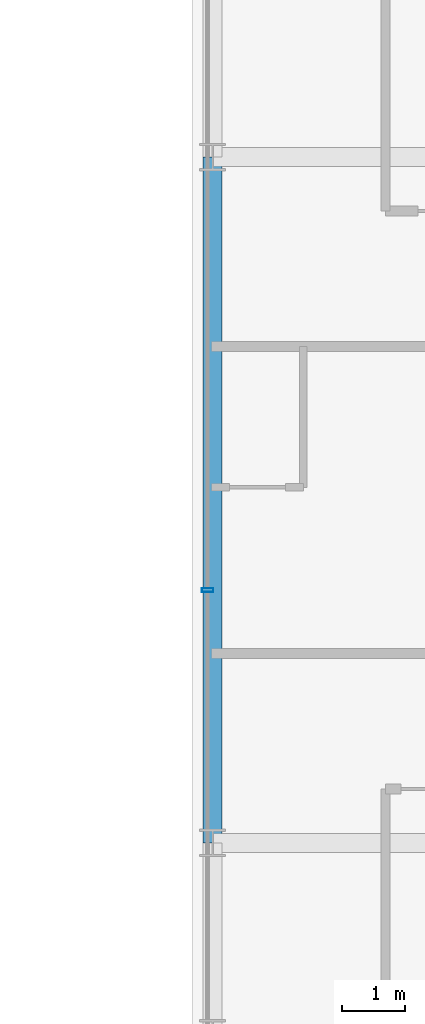
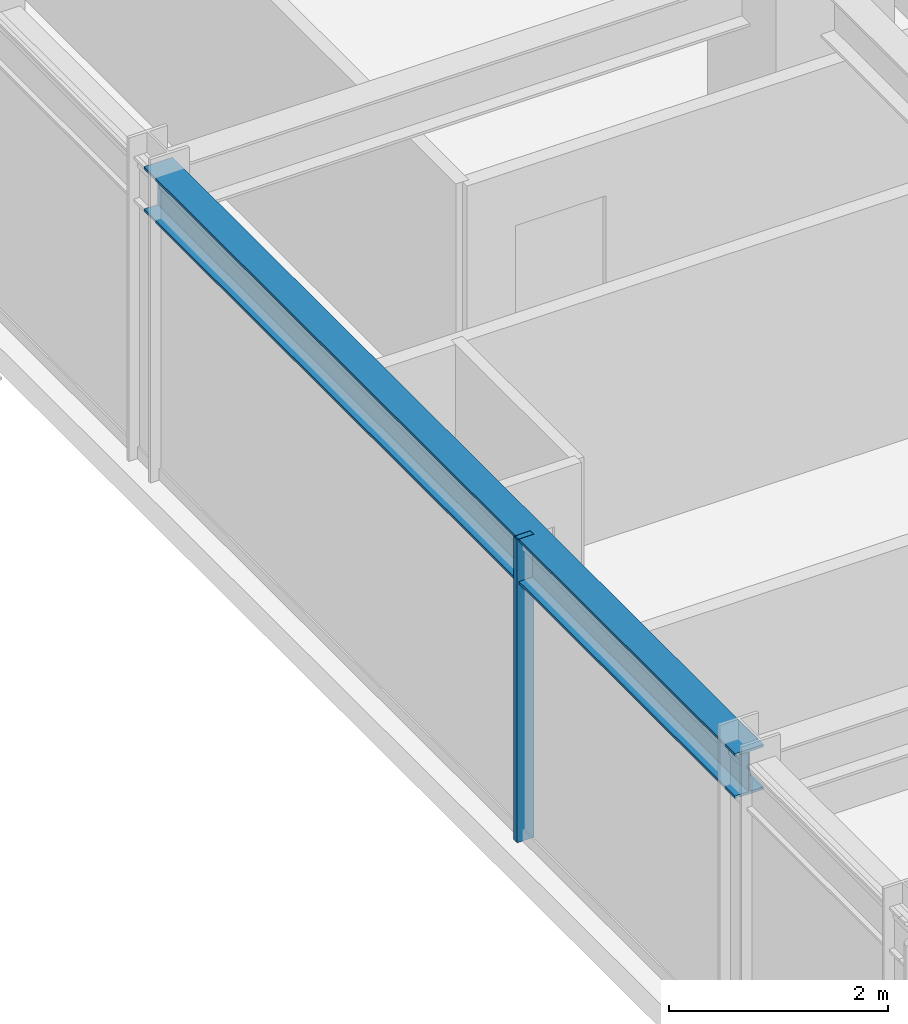
# One storey, part 8 of 35: 1 beam, 1 member, 1 element without a shape of its own.
"""IFC4 building model written with IfcOpenShell, lengths in metres."""

import ifcopenshell
import ifcopenshell.guid

model = None  # the IFC model being written
_history = None  # IfcOwnerHistory: only IFC2X3 demands one
_inside = {}  # id of a spatial element -> (the spatial element, [elements in it])
_under = {}  # id of a project, library or spatial element -> (it, [spatial elements below it])
_declared = {}  # id of a project -> (the project, [libraries it declares])
_typed = {}  # id of a type object -> (the type object, [elements of that type])
_made_of = {}  # id of a material, layer set ... -> (it, [elements and type objects made of it])


def new_model(schema):
    """Start an empty IFC model of exactly this schema.

    Asked for "IFC4X3", IfcOpenShell would pick the latest addendum, in which some entities
    have other attributes; the version numbers below select the first issue.
    IFC2X3 requires an IfcOwnerHistory on every rooted entity: one is made here for all.
    """
    global model, _history
    if schema == "IFC4X3":
        model = ifcopenshell.file(schema_version=(4, 3, 0, 0))
    else:
        model = ifcopenshell.file(schema=schema)
    _inside.clear()
    _under.clear()
    _declared.clear()
    _typed.clear()
    _made_of.clear()
    _history = None
    if model.schema == "IFC2X3":
        org = make("IfcOrganization", Name="unknown")
        user = make(
            "IfcPersonAndOrganization",
            ThePerson=make("IfcPerson", FamilyName="unknown"),
            TheOrganization=org,
        )
        app = make(
            "IfcApplication",
            ApplicationDeveloper=org,
            Version="unknown",
            ApplicationFullName="unknown",
            ApplicationIdentifier="unknown",
        )
        _history = make(
            "IfcOwnerHistory",
            OwningUser=user,
            OwningApplication=app,
            ChangeAction="ADDED",
            CreationDate=0,
        )
    return model


def make(cls, **values):
    """One entity of the class cls with the attributes given. An attribute that is None is left unset."""
    return model.create_entity(
        cls, **{name: value for name, value in values.items() if value is not None}
    )


def rooted(cls, **values):
    """An entity with a GlobalId (a new one), such as an element, a storey or a relation."""
    return make(cls, GlobalId=ifcopenshell.guid.new(), OwnerHistory=_history, **values)


def si_unit(unit_type, name, prefix=None):
    """IfcSIUnit, for example si_unit("LENGTHUNIT", "METRE", prefix="MILLI")."""
    return make("IfcSIUnit", UnitType=unit_type, Prefix=prefix, Name=name)


def assignment(units):
    """IfcUnitAssignment: the units of a project."""
    return None if units is None else make("IfcUnitAssignment", Units=units)


def point(xyz):
    """IfcCartesianPoint."""
    return None if xyz is None else make("IfcCartesianPoint", Coordinates=xyz)


def direction(xyz):
    """IfcDirection."""
    return None if xyz is None else make("IfcDirection", DirectionRatios=xyz)


def frame(location, z_axis=None, x_axis=None):
    """IfcAxis2Placement3D, a coordinate frame: its origin and axes. An axis left out is left unset."""
    return make(
        "IfcAxis2Placement3D",
        Location=point(location),
        Axis=direction(z_axis),
        RefDirection=direction(x_axis),
    )


def frame_2d(location, x_axis=None):
    """IfcAxis2Placement2D, a coordinate frame in the plane: its origin and x axis."""
    return make(
        "IfcAxis2Placement2D", Location=point(location), RefDirection=direction(x_axis)
    )


def origin():
    """The frame at (0, 0, 0) with its axes left unset."""
    return frame((0.0, 0.0, 0.0))


def origin_2d():
    """The frame at (0, 0) in the plane with its x axis left unset."""
    return frame_2d((0.0, 0.0))


def place(relative_to, where):
    """IfcLocalPlacement: puts the frame where relative to a parent placement (None: the world)."""
    return make(
        "IfcLocalPlacement", PlacementRelTo=relative_to, RelativePlacement=where
    )


def context(
    kind, dimensions, precision=None, world=None, true_north=None, identifier=None
):
    """IfcGeometricRepresentationContext, for example the 3D "Model" context."""
    return make(
        "IfcGeometricRepresentationContext",
        ContextIdentifier=identifier,
        ContextType=kind,
        CoordinateSpaceDimension=dimensions,
        Precision=precision,
        WorldCoordinateSystem=world,
        TrueNorth=true_north,
    )


def subcontext(parent, identifier, kind, view, scale=None):
    """IfcGeometricRepresentationSubContext, for example "Body" below "Model"."""
    return make(
        "IfcGeometricRepresentationSubContext",
        ContextIdentifier=identifier,
        ContextType=kind,
        ParentContext=parent,
        TargetScale=scale,
        TargetView=view,
    )


def project(units=None, contexts=None):
    """IfcProject with its units and contexts."""
    return rooted(
        "IfcProject",
        Name="project",
        RepresentationContexts=contexts,
        UnitsInContext=assignment(units),
    )


def spatial(cls, under=None, at=None, **own):
    """A site, building, storey or space (cls), placed at a placement, below another one or the project."""
    s = rooted(cls, ObjectPlacement=at, **own)
    if under is not None:
        _under.setdefault(under.id(), (under, []))[1].append(s)
    return s


def profile(cls, at=None, kind="AREA", **sizes):
    """A parametric profile (cls). Its sizes go by their IFC names, for example OverallWidth=200.0."""
    return make(cls, ProfileType=kind, Position=at, **sizes)


def hollow_rectangle(**sizes):
    """IfcRectangleHollowProfileDef."""
    return profile("IfcRectangleHollowProfileDef", **sizes)


def i_section(**sizes):
    """IfcIShapeProfileDef."""
    return profile("IfcIShapeProfileDef", **sizes)


def extrude(swept, where, along, depth):
    """IfcExtrudedAreaSolid: the profile swept, set in the frame where, extruded along a direction by depth."""
    return make(
        "IfcExtrudedAreaSolid",
        SweptArea=swept,
        Position=where,
        ExtrudedDirection=direction(along),
        Depth=depth,
    )


def shape(context_of_items, identifier, shape_type, items):
    """IfcShapeRepresentation: the items that make up one representation, for example the "Body"."""
    return make(
        "IfcShapeRepresentation",
        ContextOfItems=context_of_items,
        RepresentationIdentifier=identifier,
        RepresentationType=shape_type,
        Items=items,
    )


def source(mapping_origin, context_of_items, identifier, shape_type, items):
    """IfcRepresentationMap: a shape defined once, which mapped items show again and again."""
    return make(
        "IfcRepresentationMap",
        MappingOrigin=mapping_origin,
        MappedRepresentation=shape(context_of_items, identifier, shape_type, items),
    )


def transform(
    local_origin,
    x_axis=None,
    y_axis=None,
    z_axis=None,
    scale=None,
    scale2=None,
    scale3=None,
    uniform=True,
):
    """IfcCartesianTransformationOperator3D, or its non-uniform kind. x_axis, y_axis, z_axis: its Axis1, 2, 3."""
    if uniform:
        return make(
            "IfcCartesianTransformationOperator3D",
            Axis1=direction(x_axis),
            Axis2=direction(y_axis),
            LocalOrigin=point(local_origin),
            Scale=scale,
            Axis3=direction(z_axis),
        )
    return make(
        "IfcCartesianTransformationOperator3DnonUniform",
        Axis1=direction(x_axis),
        Axis2=direction(y_axis),
        LocalOrigin=point(local_origin),
        Scale=scale,
        Axis3=direction(z_axis),
        Scale2=scale2,
        Scale3=scale3,
    )


def mapped(mapping_source, mapping_target):
    """IfcMappedItem: shows the shape of a source again, moved by a transform."""
    return make(
        "IfcMappedItem", MappingSource=mapping_source, MappingTarget=mapping_target
    )


def material(Name=None, Category=None):
    """IfcMaterial."""
    return make("IfcMaterial", Name=Name, Category=Category)


def material_profile(
    of_material, cross_section, Name=None, Category=None, Priority=None
):
    """IfcMaterialProfile: a cross section and its material."""
    return make(
        "IfcMaterialProfile",
        Name=Name,
        Material=of_material,
        Profile=cross_section,
        Priority=Priority,
        Category=Category,
    )


def profile_set(profiles, Name=None, composite=None):
    """IfcMaterialProfileSet."""
    return make(
        "IfcMaterialProfileSet",
        Name=Name,
        MaterialProfiles=profiles,
        CompositeProfile=composite,
    )


def made_of(thing, what):
    """Note that an element or type object is made of a material, layer set ...; save() writes the relation."""
    if what is not None:
        _made_of.setdefault(what.id(), (what, []))[1].append(thing)
    return thing


def type_object(cls, material=None, **own):
    """A type object (cls), such as IfcWallType, which elements share."""
    return made_of(rooted(cls, **own), material)


def element(
    cls,
    number,
    at=None,
    inside=None,
    cuts=None,
    type_object=None,
    material=None,
    context=None,
    identifier="Body",
    shape_type=None,
    held_by="IfcProductDefinitionShape",
    body=None,
    shapes=None,
    **own,
):
    """One element of the class cls, such as IfcWall. Its Tag is "e" and its number.

    at: its placement. inside: the storey or other place that contains it. cuts: it is an
    opening in that element (IfcRelVoidsElement). A single representation is given by context,
    identifier, shape_type and body (its items); several are given by shapes. held_by: the class
    of the entity that holds the representations. save() writes the other relations.
    """
    e = rooted(cls, Tag="e%d" % number, ObjectPlacement=at, **own)
    if body is not None:
        shapes = [shape(context, identifier, shape_type, body)]
    if shapes is not None:
        e.Representation = make(held_by, Representations=shapes)
    if inside is not None:
        _inside.setdefault(inside.id(), (inside, []))[1].append(e)
    if cuts is not None:
        rooted(
            "IfcRelVoidsElement", RelatingBuildingElement=cuts, RelatedOpeningElement=e
        )
    if type_object is not None:
        _typed.setdefault(type_object.id(), (type_object, []))[1].append(e)
    return made_of(e, material)


def aggregate(whole, parts):
    """IfcRelAggregates: a whole, such as a stair, and the parts it consists of."""
    return rooted("IfcRelAggregates", RelatingObject=whole, RelatedObjects=parts)


def save(model, path):
    """Write the relations noted so far, then the file.

    IfcRelAggregates (storeys below a building ...), IfcRelContainedInSpatialStructure (elements
    in a storey), IfcRelDefinesByType, IfcRelAssociatesMaterial and IfcRelDeclares: one each for
    every whole, place, type object, material and project.
    """
    for whole, parts in _under.values():
        aggregate(whole, parts)
    for where, things in _inside.values():
        rooted(
            "IfcRelContainedInSpatialStructure",
            RelatedElements=things,
            RelatingStructure=where,
        )
    for kind, things in _typed.values():
        rooted("IfcRelDefinesByType", RelatedObjects=things, RelatingType=kind)
    for what, things in _made_of.values():
        rooted("IfcRelAssociatesMaterial", RelatedObjects=things, RelatingMaterial=what)
    for by, libraries in _declared.values():
        rooted("IfcRelDeclares", RelatingContext=by, RelatedDefinitions=libraries)
    model.write(path)


model = new_model("IFC4")

# Units and contexts
model_context = context("Model", 3, precision=1e-05, world=origin(), true_north=direction((0.0, 1.0)))
body_context = subcontext(model_context, "Body", "Model", "MODEL_VIEW")
ifc_project = project(units=[si_unit("LENGTHUNIT", "METRE"), si_unit("AREAUNIT", "SQUARE_METRE"), si_unit("VOLUMEUNIT", "CUBIC_METRE"), si_unit("PLANEANGLEUNIT", "RADIAN"), si_unit("MASSUNIT", "GRAM", prefix="KILO")], contexts=[model_context])

# Site, building, storey
site_placement = place(None, origin())
site = spatial("IfcSite", under=ifc_project, at=site_placement, CompositionType="ELEMENT")
building_placement = place(site_placement, origin())
building = spatial("IfcBuilding", under=site, at=building_placement, Name="Nahalor Promenade Grand Hotel", CompositionType="ELEMENT")
storey_placement = place(building_placement, frame((0.0, 0.0, 106.550048828125)))
storey = spatial("IfcBuildingStorey", under=building, at=storey_placement, Name="L26", CompositionType="ELEMENT", Elevation=106.550048828125)

# Beam
ifc_material_1 = material(Name="Steel S355JR", Category="steel")
ifc_material_profile_1 = material_profile(ifc_material_1, i_section(OverallWidth=0.3, OverallDepth=0.5, WebThickness=0.0145, FlangeThickness=0.028, at=origin_2d()), Name="HEB 500")
ifc_profile_set_1 = profile_set([ifc_material_profile_1], Name="Steel S355JR")
beam_type = type_object("IfcBeamType", Name="Beam-Spandrel-HEB500", PredefinedType="SPANDREL", material=ifc_profile_set_1)
shared_shape_1 = source(origin(), body_context, "Body", "SweptSolid", [
    extrude(i_section(OverallWidth=0.3, OverallDepth=0.5, WebThickness=0.0145, FlangeThickness=0.028, at=origin_2d()), origin(), (0.0, 0.0, 1.0), 10.7998046875),
])
beam_placement = place(storey_placement, frame((-23.780029296875, -5.39990234375, 3.1298828125), z_axis=(0.0, 1.0, 0.0), x_axis=(-1.0, 0.0, 0.0)))
element("IfcBeam", 1, at=beam_placement, inside=storey, type_object=beam_type, Name="BM-L26-SP-W-2", PredefinedType="SPANDREL", context=body_context, shape_type="MappedRepresentation", body=[
    mapped(shared_shape_1, transform((0.0, 0.0, 0.0), scale=1.0)),
])

# Curtain wall, member
ifc_material_2 = material(Name="Anodised Bronze Aluminium EN AW-6063 T6", Category="aluminium")
curtain_wall_type = type_object("IfcCurtainWallType", Name="CW2 Typical Hotel Flush Bronze Unitised Curtain Wall", PredefinedType="USERDEFINED", material=ifc_material_2)
curtain_wall_placement = place(storey_placement, origin())
curtain_wall = element("IfcCurtainWall", 2, at=curtain_wall_placement, inside=storey, type_object=curtain_wall_type, Name="L26 Curtain Wall CW-L26-W-1", ObjectType="UNITISED_CURTAIN_WALL", PredefinedType="USERDEFINED")
ifc_material_profile_2 = material_profile(ifc_material_2, hollow_rectangle(XDim=0.065, YDim=0.18, WallThickness=0.004, at=origin_2d()), Name="CWM 65x180x4")
ifc_profile_set_2 = profile_set([ifc_material_profile_2], Name="Anodised Bronze Aluminium EN AW-6063 T6")
member_type = type_object("IfcMemberType", Name="CWM2 Typical Bronze Mullion 65x180", PredefinedType="MULLION", material=ifc_profile_set_2)
shared_shape_2 = source(origin(), body_context, "Body", "SweptSolid", [
    extrude(hollow_rectangle(XDim=0.065, YDim=0.18, WallThickness=0.004, at=origin_2d()), origin(), (0.0, 0.0, 1.0), 3.3798828125),
])
member_placement = place(storey_placement, frame((-23.860107421875, -1.419921875, 0.0), z_axis=(0.0, 0.0, 1.0), x_axis=(0.0, 1.0, 0.0)))
member = element("IfcMember", 3, at=member_placement, type_object=member_type, Name="CW-L26-W-1 Mullion 2", PredefinedType="MULLION", context=body_context, shape_type="MappedRepresentation", body=[
    mapped(shared_shape_2, transform((0.0, 0.0, 0.0), scale=1.0)),
])
aggregate(curtain_wall, [member])

save(model, "model.ifc")
